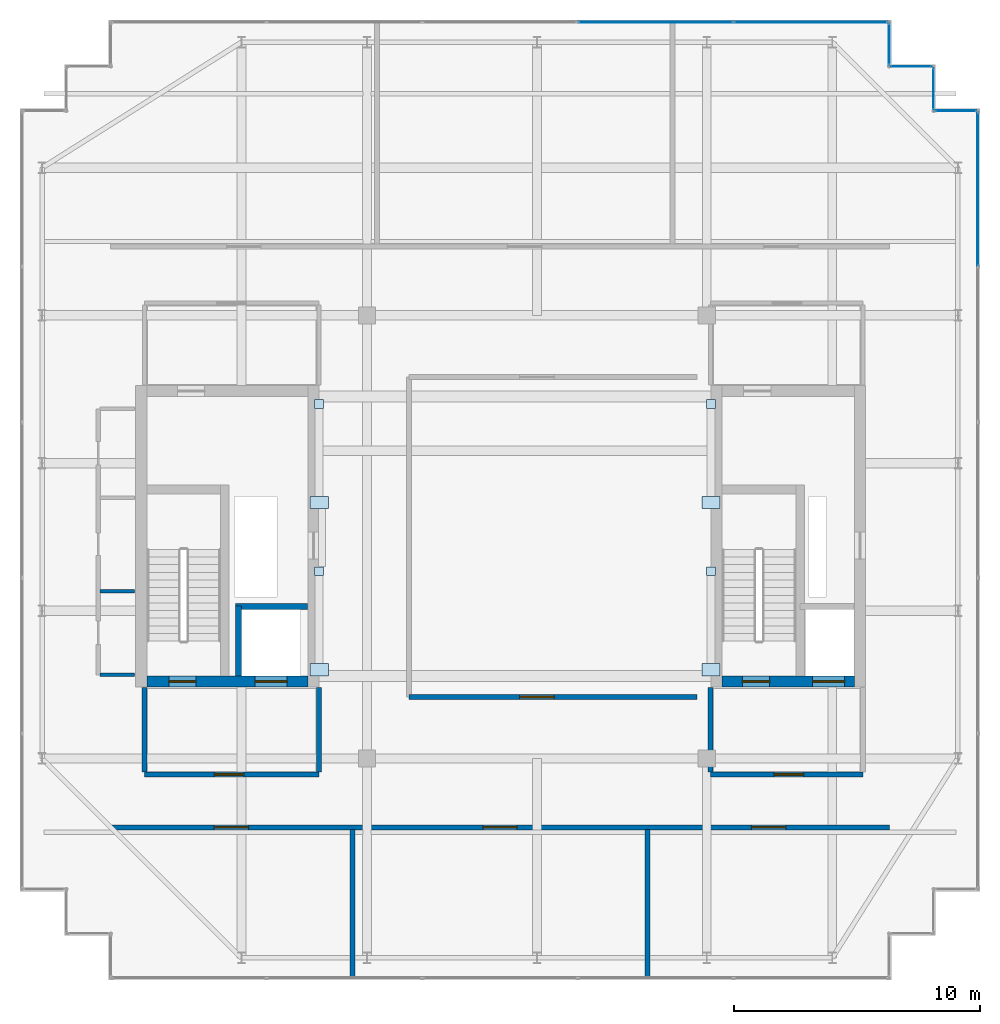
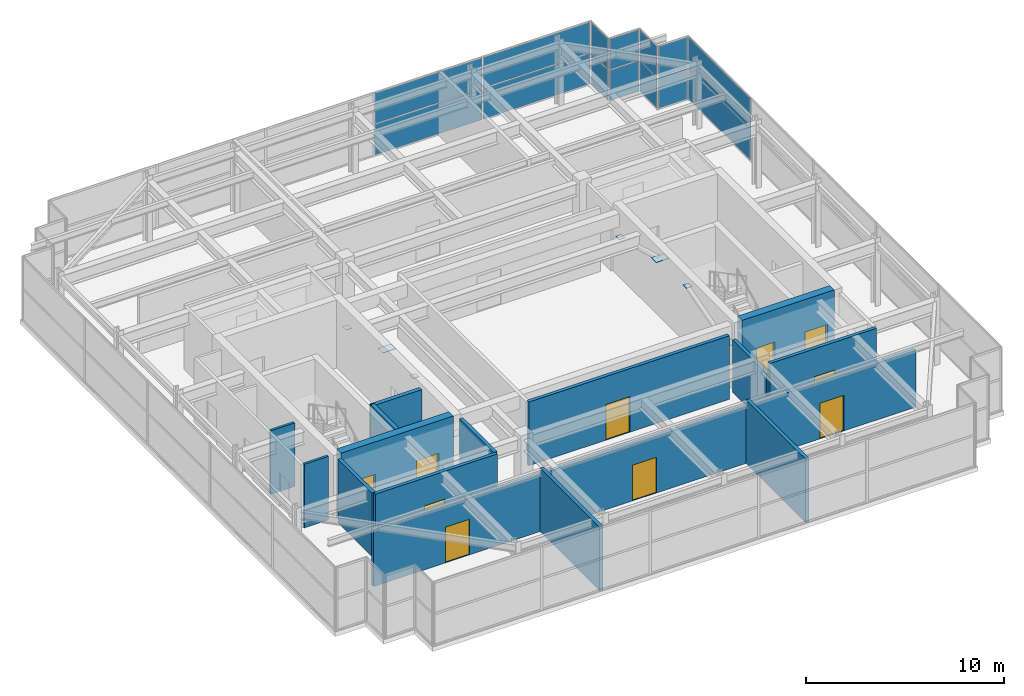
# One storey, part 30 of 32: 22 plates, 15 walls, 10 doors, 10 openings, 6 elements without a shape of their own.
"""IFC4 building model written with IfcOpenShell, lengths in metres."""

from ifc_helpers import new_model, si_unit, direction, frame, frame_2d, origin, origin_2d, place, context, subcontext, project, spatial, rectangle, extrude, source, transform, mapped, material, layer, layer_set, type_object, element, fill, aggregate, save


model = new_model("IFC4")

# Units and contexts
model_context = context("Model", 3, precision=1e-05, world=origin(), true_north=direction((0.0, 1.0)))
body_context = subcontext(model_context, "Body", "Model", "MODEL_VIEW")
ifc_project = project(units=[si_unit("LENGTHUNIT", "METRE"), si_unit("AREAUNIT", "SQUARE_METRE"), si_unit("VOLUMEUNIT", "CUBIC_METRE"), si_unit("PLANEANGLEUNIT", "RADIAN"), si_unit("MASSUNIT", "GRAM", prefix="KILO")], contexts=[model_context])

# Site, building, storey
site_placement = place(None, origin())
site = spatial("IfcSite", under=ifc_project, at=site_placement, CompositionType="ELEMENT")
building_placement = place(site_placement, origin())
building = spatial("IfcBuilding", under=site, at=building_placement, Name="Khoralis Quay Care Tower", CompositionType="ELEMENT")
storey_placement = place(building_placement, frame((0.0, 0.0, 297.89990234375)))
storey = spatial("IfcBuildingStorey", under=building, at=storey_placement, Name="L78", CompositionType="ELEMENT", Elevation=297.89990234375)

# Plates
ifc_material_1 = material(Name="Steel S355", Category="steel")
ifc_layer_1 = layer(ifc_material_1, 0.02001953125)
ifc_layer_set_1 = layer_set([ifc_layer_1], Name="Steel S355")
plate_type_1 = type_object("IfcPlateType", Name="PLT-CAP-350", PredefinedType="USERDEFINED", material=ifc_layer_set_1)
shared_shape_1 = source(origin(), body_context, "Body", "SweptSolid", [
    extrude(rectangle(XDim=0.35009765625, YDim=0.35009765625, at=origin_2d()), origin(), (0.0, 0.0, 1.0), 0.02001953125),
])
for number, where, z_axis, x_axis, name in (
    (1, (15.14794921875, 19.60009765625, 3.64013671875), (0.0, 0.0, 1.0), (1.0, 0.0, 0.0), "PLT-LNCP-L78-1"),
    (2, (15.14794921875, 26.39990234375, 2.510009765625), (0.0, 0.0, 1.0), (1.0, 0.0, 0.0), "PLT-LNCP-L78-2"),
    (3, (31.072021484375, 19.60009765625, 3.64013671875), (0.0, 0.0, 1.0), (1.0, 0.0, 0.0), "PLT-LNCP-L78-3"),
    (4, (31.072021484375, 26.39990234375, 2.510009765625), (0.0, 0.0, 1.0), (1.0, 0.0, 0.0), "PLT-LNCP-L78-4"),
):
    element("IfcPlate", number, at=place(storey_placement, frame(where, z_axis=z_axis, x_axis=x_axis)), inside=storey, type_object=plate_type_1, Name=name, ObjectType="BASE_PLATE", PredefinedType="USERDEFINED", context=body_context, shape_type="MappedRepresentation", body=[
        mapped(shared_shape_1, transform((0.0, 0.0, 0.0), scale=1.0)),
    ])
ifc_layer_2 = layer(ifc_material_1, 0.02490234375)
ifc_layer_set_2 = layer_set([ifc_layer_2], Name="Steel S355")
plate_type_2 = type_object("IfcPlateType", Name="PLT-NODE-LN1", PredefinedType="USERDEFINED", material=ifc_layer_set_2)
shared_shape_2 = source(origin(), body_context, "Body", "SweptSolid", [
    extrude(rectangle(XDim=0.75, YDim=0.5, at=origin_2d()), origin(), (0.0, 0.0, 1.0), 0.02490234375),
])
for number, where, z_axis, x_axis, name in (
    (5, (15.14794921875, 15.60009765625, 2.507568359375), (0.0, 0.0, 1.0), (1.0, 0.0, 0.0), "PLT-LN1-L78-1"),
    (6, (15.14794921875, 22.39990234375, 3.6376953125), (0.0, 0.0, 1.0), (1.0, 0.0, 0.0), "PLT-LN1-L78-2"),
    (7, (31.072021484375, 15.60009765625, 2.507568359375), (0.0, 0.0, 1.0), (1.0, 0.0, 0.0), "PLT-LN1-L78-3"),
    (8, (31.072021484375, 22.39990234375, 3.6376953125), (0.0, 0.0, 1.0), (1.0, 0.0, 0.0), "PLT-LN1-L78-4"),
):
    element("IfcPlate", number, at=place(storey_placement, frame(where, z_axis=z_axis, x_axis=x_axis)), inside=storey, type_object=plate_type_2, Name=name, ObjectType="GUSSET_PLATE", PredefinedType="USERDEFINED", context=body_context, shape_type="MappedRepresentation", body=[
        mapped(shared_shape_2, transform((0.0, 0.0, 0.0), scale=1.0)),
    ])

# Curtain wall, plates
ifc_material_2 = material(Name="Pale anodised aluminium", Category="aluminium")
ifc_layer_3 = layer(ifc_material_2, 0.199951171875)
ifc_layer_set_3 = layer_set([ifc_layer_3], Name="Pale anodised aluminium")
curtain_wall_type = type_object("IfcCurtainWallType", Name="CW-SYS-LANTERN", PredefinedType="NOTDEFINED", material=ifc_layer_set_3)
curtain_wall_1_placement = place(storey_placement, origin())
curtain_wall_1 = element("IfcCurtainWall", 9, at=curtain_wall_1_placement, inside=storey, type_object=curtain_wall_type, Name="L78 Unitised Curtain Wall CW-LN-L78-06", PredefinedType="NOTDEFINED")
ifc_material_3 = material(Name="Spandrel insulated shadow-box glass", Category="glass")
ifc_layer_4 = layer(ifc_material_3, 0.0439453125)
ifc_layer_set_4 = layer_set([ifc_layer_4], Name="Spandrel insulated shadow-box glass")
plate_type_3 = type_object("IfcPlateType", Name="PNL-SPN-44", PredefinedType="CURTAIN_PANEL", material=ifc_layer_set_4)
shared_shape_3 = source(origin(), body_context, "Body", "SweptSolid", [
    extrude(rectangle(XDim=6.23388671875, YDim=0.028076171875, at=origin_2d()), origin(), (0.0, 0.0, 1.0), 1.8701171875),
])
plate_1_placement = place(storey_placement, frame((41.909912109375, 35.133056640625, 0.06005859375), z_axis=(0.0, 0.0, 1.0), x_axis=(0.0, 1.0, 0.0)))
plate_1 = element("IfcPlate", 10, at=plate_1_placement, type_object=plate_type_3, Name="CW5 panel 5.1", PredefinedType="CURTAIN_PANEL", context=body_context, shape_type="MappedRepresentation", body=[
    mapped(shared_shape_3, transform((0.0, 0.0, 0.0), scale=1.0)),
])
plate_2_placement = place(storey_placement, frame((41.909912109375, 35.133056640625, 1.989990234375), z_axis=(0.0, 0.0, 1.0), x_axis=(0.0, 1.0, 0.0)))
plate_2 = element("IfcPlate", 11, at=plate_2_placement, type_object=plate_type_3, Name="CW5 panel 5.2", PredefinedType="CURTAIN_PANEL", context=body_context, shape_type="MappedRepresentation", body=[
    mapped(shared_shape_3, transform((0.0, 0.0, 0.0), scale=1.0)),
])
aggregate(curtain_wall_1, [plate_1, plate_2])

curtain_wall_2_placement = place(storey_placement, origin())
curtain_wall_2 = element("IfcCurtainWall", 12, at=curtain_wall_2_placement, inside=storey, type_object=curtain_wall_type, Name="L78 Unitised Curtain Wall CW-LN-L78-11", PredefinedType="NOTDEFINED")
plate_3_placement = place(storey_placement, frame((35.133056640625, 41.909912109375, 0.06005859375), z_axis=(0.0, 0.0, 1.0), x_axis=(-1.0, 0.0, 0.0)))
plate_3 = element("IfcPlate", 13, at=plate_3_placement, type_object=plate_type_3, Name="CW5 panel 1.1", PredefinedType="CURTAIN_PANEL", context=body_context, shape_type="MappedRepresentation", body=[
    mapped(shared_shape_3, transform((0.0, 0.0, 0.0), scale=1.0)),
])
plate_4_placement = place(storey_placement, frame((35.133056640625, 41.909912109375, 1.989990234375), z_axis=(0.0, 0.0, 1.0), x_axis=(-1.0, 0.0, 0.0)))
plate_4 = element("IfcPlate", 14, at=plate_4_placement, type_object=plate_type_3, Name="CW5 panel 1.2", PredefinedType="CURTAIN_PANEL", context=body_context, shape_type="MappedRepresentation", body=[
    mapped(shared_shape_3, transform((0.0, 0.0, 0.0), scale=1.0)),
])
shared_shape_4 = source(origin(), body_context, "Body", "SweptSolid", [
    extrude(rectangle(XDim=6.263916015625, YDim=0.028076171875, at=origin_2d()), origin(), (0.0, 0.0, 1.0), 1.8701171875),
])
plate_5_placement = place(storey_placement, frame((28.823974609375, 41.909912109375, 0.06005859375), z_axis=(0.0, 0.0, 1.0), x_axis=(-1.0, 0.0, 0.0)))
plate_5 = element("IfcPlate", 15, at=plate_5_placement, type_object=plate_type_3, Name="CW5 panel 2.1", PredefinedType="CURTAIN_PANEL", context=body_context, shape_type="MappedRepresentation", body=[
    mapped(shared_shape_4, transform((0.0, 0.0, 0.0), scale=1.0)),
])
plate_6_placement = place(storey_placement, frame((28.823974609375, 41.909912109375, 1.989990234375), z_axis=(0.0, 0.0, 1.0), x_axis=(-1.0, 0.0, 0.0)))
plate_6 = element("IfcPlate", 16, at=plate_6_placement, type_object=plate_type_3, Name="CW5 panel 2.2", PredefinedType="CURTAIN_PANEL", context=body_context, shape_type="MappedRepresentation", body=[
    mapped(shared_shape_4, transform((0.0, 0.0, 0.0), scale=1.0)),
])
aggregate(curtain_wall_2, [plate_3, plate_4, plate_5, plate_6])

curtain_wall_3_placement = place(storey_placement, origin())
curtain_wall_3 = element("IfcCurtainWall", 17, at=curtain_wall_3_placement, inside=storey, type_object=curtain_wall_type, Name="L78 Unitised Curtain Wall CW-LN-L78-07", PredefinedType="NOTDEFINED")
shared_shape_5 = source(origin(), body_context, "Body", "SweptSolid", [
    extrude(rectangle(XDim=1.679931640625, YDim=0.028076171875, at=origin_2d()), origin(), (0.0, 0.0, 1.0), 1.8701171875),
])
plate_7_placement = place(storey_placement, frame((41.010009765625, 38.31005859375, 0.06005859375), z_axis=(0.0, 0.0, 1.0), x_axis=(-1.0, 0.0, 0.0)))
plate_7 = element("IfcPlate", 18, at=plate_7_placement, type_object=plate_type_3, Name="CW5 panel 1.1", PredefinedType="CURTAIN_PANEL", context=body_context, shape_type="MappedRepresentation", body=[
    mapped(shared_shape_5, transform((0.0, 0.0, 0.0), scale=1.0)),
])
plate_8_placement = place(storey_placement, frame((41.010009765625, 38.31005859375, 1.989990234375), z_axis=(0.0, 0.0, 1.0), x_axis=(-1.0, 0.0, 0.0)))
plate_8 = element("IfcPlate", 19, at=plate_8_placement, type_object=plate_type_3, Name="CW5 panel 1.2", PredefinedType="CURTAIN_PANEL", context=body_context, shape_type="MappedRepresentation", body=[
    mapped(shared_shape_5, transform((0.0, 0.0, 0.0), scale=1.0)),
])
aggregate(curtain_wall_3, [plate_7, plate_8])

curtain_wall_4_placement = place(storey_placement, origin())
curtain_wall_4 = element("IfcCurtainWall", 20, at=curtain_wall_4_placement, inside=storey, type_object=curtain_wall_type, Name="L78 Unitised Curtain Wall CW-LN-L78-08", PredefinedType="NOTDEFINED")
plate_9_placement = place(storey_placement, frame((40.110107421875, 39.2099609375, 0.06005859375), z_axis=(0.0, 0.0, 1.0), x_axis=(0.0, 1.0, 0.0)))
plate_9 = element("IfcPlate", 21, at=plate_9_placement, type_object=plate_type_3, Name="CW5 panel 1.1", PredefinedType="CURTAIN_PANEL", context=body_context, shape_type="MappedRepresentation", body=[
    mapped(shared_shape_5, transform((0.0, 0.0, 0.0), scale=1.0)),
])
plate_10_placement = place(storey_placement, frame((40.110107421875, 39.2099609375, 1.989990234375), z_axis=(0.0, 0.0, 1.0), x_axis=(0.0, 1.0, 0.0)))
plate_10 = element("IfcPlate", 22, at=plate_10_placement, type_object=plate_type_3, Name="CW5 panel 1.2", PredefinedType="CURTAIN_PANEL", context=body_context, shape_type="MappedRepresentation", body=[
    mapped(shared_shape_5, transform((0.0, 0.0, 0.0), scale=1.0)),
])
aggregate(curtain_wall_4, [plate_9, plate_10])

curtain_wall_5_placement = place(storey_placement, origin())
curtain_wall_5 = element("IfcCurtainWall", 23, at=curtain_wall_5_placement, inside=storey, type_object=curtain_wall_type, Name="L78 Unitised Curtain Wall CW-LN-L78-09", PredefinedType="NOTDEFINED")
plate_11_placement = place(storey_placement, frame((39.2099609375, 40.110107421875, 0.06005859375), z_axis=(0.0, 0.0, 1.0), x_axis=(-1.0, 0.0, 0.0)))
plate_11 = element("IfcPlate", 24, at=plate_11_placement, type_object=plate_type_3, Name="CW5 panel 1.1", PredefinedType="CURTAIN_PANEL", context=body_context, shape_type="MappedRepresentation", body=[
    mapped(shared_shape_5, transform((0.0, 0.0, 0.0), scale=1.0)),
])
plate_12_placement = place(storey_placement, frame((39.2099609375, 40.110107421875, 1.989990234375), z_axis=(0.0, 0.0, 1.0), x_axis=(-1.0, 0.0, 0.0)))
plate_12 = element("IfcPlate", 25, at=plate_12_placement, type_object=plate_type_3, Name="CW5 panel 1.2", PredefinedType="CURTAIN_PANEL", context=body_context, shape_type="MappedRepresentation", body=[
    mapped(shared_shape_5, transform((0.0, 0.0, 0.0), scale=1.0)),
])
aggregate(curtain_wall_5, [plate_11, plate_12])

curtain_wall_6_placement = place(storey_placement, origin())
curtain_wall_6 = element("IfcCurtainWall", 26, at=curtain_wall_6_placement, inside=storey, type_object=curtain_wall_type, Name="L78 Unitised Curtain Wall CW-LN-L78-10", PredefinedType="NOTDEFINED")
plate_13_placement = place(storey_placement, frame((38.31005859375, 41.010009765625, 0.06005859375), z_axis=(0.0, 0.0, 1.0), x_axis=(0.0, 1.0, 0.0)))
plate_13 = element("IfcPlate", 27, at=plate_13_placement, type_object=plate_type_3, Name="CW5 panel 1.1", PredefinedType="CURTAIN_PANEL", context=body_context, shape_type="MappedRepresentation", body=[
    mapped(shared_shape_5, transform((0.0, 0.0, 0.0), scale=1.0)),
])
plate_14_placement = place(storey_placement, frame((38.31005859375, 41.010009765625, 1.989990234375), z_axis=(0.0, 0.0, 1.0), x_axis=(0.0, 1.0, 0.0)))
plate_14 = element("IfcPlate", 28, at=plate_14_placement, type_object=plate_type_3, Name="CW5 panel 1.2", PredefinedType="CURTAIN_PANEL", context=body_context, shape_type="MappedRepresentation", body=[
    mapped(shared_shape_5, transform((0.0, 0.0, 0.0), scale=1.0)),
])
aggregate(curtain_wall_6, [plate_13, plate_14])

# Wall, opening, door
ifc_material_4 = material(Name="Gypsum plasterboard on acoustic metal stud")
ifc_layer_5 = layer(ifc_material_4, 0.199951171875)
ifc_layer_set_5 = layer_set([ifc_layer_5], Name="Gypsum plasterboard on acoustic metal stud")
wall_type_1 = type_object("IfcWallType", Name="WL-COMP-200", PredefinedType="PARTITIONING", material=ifc_layer_set_5)
wall_1_placement = place(storey_placement, frame((8.050048828125, 11.35009765625, 0.0), z_axis=(0.0, 0.0, 1.0), x_axis=(1.0, 0.0, 0.0)))
wall_1 = element("IfcWall", 29, at=wall_1_placement, inside=storey, type_object=wall_type_1, Name="L78 West Firefighting Lobby South Wall", PredefinedType="PARTITIONING", context=body_context, shape_type="SweptSolid", body=[
    extrude(rectangle(XDim=7.099853515625, YDim=0.199951171875, at=frame_2d((3.5498046875, 0.0))), origin(), (0.0, 0.0, 1.0), 3.920166015625),
])
opening_1_placement = place(wall_1_placement, frame((2.846435546875, 0.0, 0.0)))
opening_1 = element("IfcOpeningElement", 30, at=opening_1_placement, cuts=wall_1, Name="Opening FD1", PredefinedType="OPENING", context=body_context, shape_type="SweptSolid", body=[
    extrude(rectangle(XDim=1.199951171875, YDim=2.199951171875, at=frame_2d((0.60009765625, 1.10009765625))), frame((0.0, 0.10986328125, 0.0), z_axis=(0.0, -1.0, 0.0), x_axis=(1.0, 0.0, 0.0)), (0.0, 0.0, 1.0), 0.219970703125),
])
ifc_material_5 = material(Name="Fire-rated painted steel", Category="steel")
door_type_1 = type_object("IfcDoorType", Name="DR-FFL-1200X2200", OperationType="NOTDEFINED", PredefinedType="DOOR", material=ifc_material_5)
shared_shape_6 = source(origin(), body_context, "Body", "SweptSolid", [
    extrude(rectangle(XDim=1.199951171875, YDim=2.199951171875, at=frame_2d((0.60009765625, 1.10009765625))), frame((0.0, 0.02490234375, 0.0), z_axis=(0.0, -1.0, 0.0), x_axis=(1.0, 0.0, 0.0)), (0.0, 0.0, 1.0), 0.050048828125),
])
door_1_placement = place(opening_1_placement, origin())
door_1 = element("IfcDoor", 31, at=door_1_placement, inside=storey, type_object=door_type_1, Name="L78 West Firefighting Lobby Fire Door", OperationType="SINGLE_SWING_RIGHT", OverallHeight=2.199951171875, OverallWidth=1.199951171875, PredefinedType="DOOR", context=body_context, shape_type="MappedRepresentation", body=[
    mapped(shared_shape_6, transform((0.0, 0.0, 0.0), scale=1.0)),
])
fill(opening_1, door_1)

# Walls
for number, where, z_axis, x_axis, name in (
    (32, (8.050048828125, 11.445068359375, 0.0), (0.0, 0.0, 1.0), (0.0, 1.0, 0.0), "L78 West Firefighting Lobby West Wall"),
    (33, (15.14990234375, 11.445068359375, 0.0), (0.0, 0.0, 1.0), (0.0, 1.0, 0.0), "L78 West Firefighting Lobby East Wall"),
):
    element("IfcWall", number, at=place(storey_placement, frame(where, z_axis=z_axis, x_axis=x_axis)), inside=storey, type_object=wall_type_1, Name=name, PredefinedType="PARTITIONING", context=body_context, shape_type="SweptSolid", body=[
        extrude(rectangle(XDim=3.434814453125, YDim=0.199951171875, at=frame_2d((1.71728515625, 0.0))), origin(), (0.0, 0.0, 1.0), 3.920166015625),
    ])

# Wall, opening, door
wall_2_placement = place(storey_placement, frame((31.050048828125, 11.35009765625, 0.0), z_axis=(0.0, 0.0, 1.0), x_axis=(1.0, 0.0, 0.0)))
wall_2 = element("IfcWall", 34, at=wall_2_placement, inside=storey, type_object=wall_type_1, Name="L78 East Firefighting Lobby South Wall", PredefinedType="PARTITIONING", context=body_context, shape_type="SweptSolid", body=[
    extrude(rectangle(XDim=6.199951171875, YDim=0.199951171875, at=frame_2d((3.10009765625, 0.0))), origin(), (0.0, 0.0, 1.0), 3.920166015625),
])
opening_2_placement = place(wall_2_placement, frame((2.585693359375, 0.0, 0.0)))
opening_2 = element("IfcOpeningElement", 35, at=opening_2_placement, cuts=wall_2, Name="Opening FD1", PredefinedType="OPENING", context=body_context, shape_type="SweptSolid", body=[
    extrude(rectangle(XDim=1.199951171875, YDim=2.199951171875, at=frame_2d((0.60009765625, 1.10009765625))), frame((0.0, 0.10986328125, 0.0), z_axis=(0.0, -1.0, 0.0), x_axis=(1.0, 0.0, 0.0)), (0.0, 0.0, 1.0), 0.219970703125),
])
door_2_placement = place(opening_2_placement, origin())
door_2 = element("IfcDoor", 36, at=door_2_placement, inside=storey, type_object=door_type_1, Name="L78 East Firefighting Lobby Fire Door", OperationType="SINGLE_SWING_LEFT", OverallHeight=2.199951171875, OverallWidth=1.199951171875, PredefinedType="DOOR", context=body_context, shape_type="MappedRepresentation", body=[
    mapped(shared_shape_6, transform((0.0, 0.0, 0.0), scale=1.0)),
])
fill(opening_2, door_2)

# Wall
wall_3_placement = place(storey_placement, frame((31.050048828125, 11.445068359375, 0.0), z_axis=(0.0, 0.0, 1.0), x_axis=(0.0, 1.0, 0.0)))
element("IfcWall", 37, at=wall_3_placement, inside=storey, type_object=wall_type_1, Name="L78 East Firefighting Lobby West Wall", PredefinedType="PARTITIONING", context=body_context, shape_type="SweptSolid", body=[
    extrude(rectangle(XDim=3.434814453125, YDim=0.199951171875, at=frame_2d((1.71728515625, 0.0))), origin(), (0.0, 0.0, 1.0), 3.22509765625),
])

# Wall, openings, doors
wall_4_placement = place(storey_placement, frame((6.679931640625, 9.199951171875, 0.0), z_axis=(0.0, 0.0, 1.0), x_axis=(1.0, 0.0, 0.0)))
wall_4 = element("IfcWall", 38, at=wall_4_placement, inside=storey, type_object=wall_type_1, Name="L78 Plant Corridor South Wall", PredefinedType="PARTITIONING", context=body_context, shape_type="SweptSolid", body=[
    extrude(rectangle(XDim=31.64013671875, YDim=0.199951171875, at=frame_2d((15.820068359375, 0.0))), origin(), (0.0, 0.0, 1.0), 3.51318359375),
])
opening_3_placement = place(wall_4_placement, frame((4.2099609375, 0.0, 0.0)))
opening_3 = element("IfcOpeningElement", 39, at=opening_3_placement, cuts=wall_4, Name="Opening PD1", PredefinedType="OPENING", context=body_context, shape_type="SweptSolid", body=[
    extrude(rectangle(XDim=1.39990234375, YDim=2.199951171875, at=frame_2d((0.699951171875, 1.10009765625))), frame((0.0, 0.10986328125, 0.0), z_axis=(0.0, -1.0, 0.0), x_axis=(1.0, 0.0, 0.0)), (0.0, 0.0, 1.0), 0.219970703125),
])
opening_4_placement = place(wall_4_placement, frame((15.1201171875, 0.0, 0.0)))
opening_4 = element("IfcOpeningElement", 40, at=opening_4_placement, cuts=wall_4, Name="Opening PD1", PredefinedType="OPENING", context=body_context, shape_type="SweptSolid", body=[
    extrude(rectangle(XDim=1.39990234375, YDim=2.199951171875, at=frame_2d((0.699951171875, 1.10009765625))), frame((0.0, 0.10986328125, 0.0), z_axis=(0.0, -1.0, 0.0), x_axis=(1.0, 0.0, 0.0)), (0.0, 0.0, 1.0), 0.219970703125),
])
opening_5_placement = place(wall_4_placement, frame((26.030029296875, 0.0, 0.0)))
opening_5 = element("IfcOpeningElement", 41, at=opening_5_placement, cuts=wall_4, Name="Opening PD1", PredefinedType="OPENING", context=body_context, shape_type="SweptSolid", body=[
    extrude(rectangle(XDim=1.39990234375, YDim=2.199951171875, at=frame_2d((0.699951171875, 1.10009765625))), frame((0.0, 0.10986328125, 0.0), z_axis=(0.0, -1.0, 0.0), x_axis=(1.0, 0.0, 0.0)), (0.0, 0.0, 1.0), 0.219970703125),
])
door_type_2 = type_object("IfcDoorType", Name="DR-PLANT-1400X2200", OperationType="NOTDEFINED", PredefinedType="DOOR", material=ifc_material_5)
shared_shape_7 = source(origin(), body_context, "Body", "SweptSolid", [
    extrude(rectangle(XDim=1.39990234375, YDim=2.199951171875, at=frame_2d((0.699951171875, 1.10009765625))), frame((0.0, 0.02490234375, 0.0), z_axis=(0.0, -1.0, 0.0), x_axis=(1.0, 0.0, 0.0)), (0.0, 0.0, 1.0), 0.050048828125),
])
door_3_placement = place(opening_3_placement, frame((1.39990234375, 0.0, 0.0), z_axis=(0.0, 0.0, 1.0), x_axis=(-1.0, 0.0, 0.0)))
door_3 = element("IfcDoor", 42, at=door_3_placement, inside=storey, type_object=door_type_2, Name="L78 District Chiller Plant Room Plant Door", OperationType="DOUBLE_DOOR_SINGLE_SWING", OverallHeight=2.199951171875, OverallWidth=1.39990234375, PredefinedType="DOOR", context=body_context, shape_type="MappedRepresentation", body=[
    mapped(shared_shape_7, transform((0.0, 0.0, 0.0), scale=1.0)),
])
fill(opening_3, door_3)
door_4_placement = place(opening_4_placement, frame((1.39990234375, 0.0, 0.0), z_axis=(0.0, 0.0, 1.0), x_axis=(-1.0, 0.0, 0.0)))
door_4 = element("IfcDoor", 43, at=door_4_placement, inside=storey, type_object=door_type_2, Name="L78 Heat Recovery Plant Room Plant Door", OperationType="DOUBLE_DOOR_SINGLE_SWING", OverallHeight=2.199951171875, OverallWidth=1.39990234375, PredefinedType="DOOR", context=body_context, shape_type="MappedRepresentation", body=[
    mapped(shared_shape_7, transform((0.0, 0.0, 0.0), scale=1.0)),
])
fill(opening_4, door_4)
door_5_placement = place(opening_5_placement, frame((1.39990234375, 0.0, 0.0), z_axis=(0.0, 0.0, 1.0), x_axis=(-1.0, 0.0, 0.0)))
door_5 = element("IfcDoor", 44, at=door_5_placement, inside=storey, type_object=door_type_2, Name="L78 Domestic Water Tank Room Plant Door", OperationType="DOUBLE_DOOR_SINGLE_SWING", OverallHeight=2.199951171875, OverallWidth=1.39990234375, PredefinedType="DOOR", context=body_context, shape_type="MappedRepresentation", body=[
    mapped(shared_shape_7, transform((0.0, 0.0, 0.0), scale=1.0)),
])
fill(opening_5, door_5)

# Wall, opening, door
wall_5_placement = place(storey_placement, frame((18.800048828125, 14.5, 0.0), z_axis=(0.0, 0.0, 1.0), x_axis=(1.0, 0.0, 0.0)))
wall_5 = element("IfcWall", 45, at=wall_5_placement, inside=storey, type_object=wall_type_1, Name="L78 Central Plant South Wall", PredefinedType="PARTITIONING", context=body_context, shape_type="SweptSolid", body=[
    extrude(rectangle(XDim=11.699951171875, YDim=0.199951171875, at=frame_2d((5.85009765625, 0.0))), origin(), (0.0, 0.0, 1.0), 3.920166015625),
])
opening_6_placement = place(wall_5_placement, frame((4.5, 0.0, 0.0)))
opening_6 = element("IfcOpeningElement", 46, at=opening_6_placement, cuts=wall_5, Name="Opening PD1", PredefinedType="OPENING", context=body_context, shape_type="SweptSolid", body=[
    extrude(rectangle(XDim=1.39990234375, YDim=2.199951171875, at=frame_2d((0.699951171875, 1.10009765625))), frame((0.0, 0.10986328125, 0.0), z_axis=(0.0, -1.0, 0.0), x_axis=(1.0, 0.0, 0.0)), (0.0, 0.0, 1.0), 0.219970703125),
])
door_6_placement = place(opening_6_placement, origin())
door_6 = element("IfcDoor", 47, at=door_6_placement, inside=storey, type_object=door_type_2, Name="L78 Central Plant South Door", OperationType="DOUBLE_DOOR_SINGLE_SWING", OverallHeight=2.199951171875, OverallWidth=1.39990234375, PredefinedType="DOOR", context=body_context, shape_type="MappedRepresentation", body=[
    mapped(shared_shape_7, transform((0.0, 0.0, 0.0), scale=1.0)),
])
fill(opening_6, door_6)

# Walls
for number, where, z_axis, x_axis, name in (
    (48, (16.5, 3.0849609375, 0.0), (0.0, 0.0, 1.0), (0.0, 1.0, 0.0), "L78 South Plant Divider 1"),
    (49, (28.5, 3.0849609375, 0.0), (0.0, 0.0, 1.0), (0.0, 1.0, 0.0), "L78 South Plant Divider 2"),
):
    element("IfcWall", number, at=place(storey_placement, frame(where, z_axis=z_axis, x_axis=x_axis)), inside=storey, type_object=wall_type_1, Name=name, PredefinedType="PARTITIONING", context=body_context, shape_type="SweptSolid", body=[
        extrude(rectangle(XDim=6.02001953125, YDim=0.199951171875, at=frame_2d((3.010009765625, 0.0))), origin(), (0.0, 0.0, 1.0), 3.920166015625),
    ])

# Wall, openings, doors
ifc_material_6 = material(Name="Concrete C50/60", Category="concrete")
ifc_layer_6 = layer(ifc_material_6, 0.449951171875)
ifc_layer_set_6 = layer_set([ifc_layer_6], Name="Concrete C50/60")
wall_type_2 = type_object("IfcWallType", Name="WL-CORE-450", PredefinedType="SHEAR", material=ifc_layer_set_6)
wall_6_placement = place(storey_placement, frame((8.14990234375, 15.125, 0.0), z_axis=(0.0, 0.0, 1.0), x_axis=(1.0, 0.0, 0.0)))
wall_6 = element("IfcWall", 50, at=wall_6_placement, inside=storey, type_object=wall_type_2, Name="L78 WCORE South Shear Wall", PredefinedType="SHEAR", context=body_context, shape_type="SweptSolid", body=[
    extrude(rectangle(XDim=6.550048828125, YDim=0.449951171875, at=frame_2d((3.27490234375, 0.0))), origin(), (0.0, 0.0, 1.0), 4.2001953125),
])
opening_7_placement = place(wall_6_placement, frame((0.89990234375, 0.0, 0.0)))
opening_7 = element("IfcOpeningElement", 51, at=opening_7_placement, cuts=wall_6, Name="Opening SD1", PredefinedType="OPENING", context=body_context, shape_type="SweptSolid", body=[
    extrude(rectangle(XDim=1.10009765625, YDim=2.199951171875, at=frame_2d((0.550048828125, 1.10009765625))), frame((0.0, 0.23486328125, 0.0), z_axis=(0.0, -1.0, 0.0), x_axis=(1.0, 0.0, 0.0)), (0.0, 0.0, 1.0), 0.469970703125),
])
opening_8_placement = place(wall_6_placement, frame((4.39990234375, 0.0, 0.0)))
opening_8 = element("IfcOpeningElement", 52, at=opening_8_placement, cuts=wall_6, Name="Opening LD2", PredefinedType="OPENING", context=body_context, shape_type="SweptSolid", body=[
    extrude(rectangle(XDim=1.300048828125, YDim=2.199951171875, at=frame_2d((0.64990234375, 1.10009765625))), frame((0.0, 0.23486328125, 0.0), z_axis=(0.0, -1.0, 0.0), x_axis=(1.0, 0.0, 0.0)), (0.0, 0.0, 1.0), 0.469970703125),
])
door_type_3 = type_object("IfcDoorType", Name="DR-STAIR-1100X2200", OperationType="NOTDEFINED", PredefinedType="DOOR", material=ifc_material_5)
shared_shape_8 = source(origin(), body_context, "Body", "SweptSolid", [
    extrude(rectangle(XDim=1.10009765625, YDim=2.199951171875, at=frame_2d((0.550048828125, 1.10009765625))), frame((0.0, 0.02490234375, 0.0), z_axis=(0.0, -1.0, 0.0), x_axis=(1.0, 0.0, 0.0)), (0.0, 0.0, 1.0), 0.050048828125),
])
door_7_placement = place(opening_7_placement, origin())
door_7 = element("IfcDoor", 53, at=door_7_placement, inside=storey, type_object=door_type_3, Name="L78 Stair ST-T1 Fire Door", OperationType="SINGLE_SWING_RIGHT", OverallHeight=2.199951171875, OverallWidth=1.10009765625, PredefinedType="DOOR", context=body_context, shape_type="MappedRepresentation", body=[
    mapped(shared_shape_8, transform((0.0, 0.0, 0.0), scale=1.0)),
])
fill(opening_7, door_7)
ifc_material_7 = material(Name="Brushed stainless steel", Category="steel")
door_type_4 = type_object("IfcDoorType", Name="DR-LIFT-1300X2200", OperationType="SLIDING_TO_RIGHT", PredefinedType="DOOR", material=ifc_material_7)
shared_shape_9 = source(origin(), body_context, "Body", "SweptSolid", [
    extrude(rectangle(XDim=1.300048828125, YDim=2.199951171875, at=frame_2d((0.64990234375, 1.10009765625))), frame((0.0, 0.02490234375, 0.0), z_axis=(0.0, -1.0, 0.0), x_axis=(1.0, 0.0, 0.0)), (0.0, 0.0, 1.0), 0.050048828125),
])
door_8_placement = place(opening_8_placement, origin())
door_8 = element("IfcDoor", 54, at=door_8_placement, inside=storey, type_object=door_type_4, Name="L78 Firefighting Lift FFL-1 Landing Door", OperationType="SLIDING_TO_RIGHT", OverallHeight=2.199951171875, OverallWidth=1.300048828125, PredefinedType="DOOR", context=body_context, shape_type="MappedRepresentation", body=[
    mapped(shared_shape_9, transform((0.0, 0.0, 0.0), scale=1.0)),
])
fill(opening_8, door_8)

wall_7_placement = place(storey_placement, frame((31.52001953125, 15.125, 0.0), z_axis=(0.0, 0.0, 1.0), x_axis=(1.0, 0.0, 0.0)))
wall_7 = element("IfcWall", 55, at=wall_7_placement, inside=storey, type_object=wall_type_2, Name="L78 ECORE South Shear Wall", PredefinedType="SHEAR", context=body_context, shape_type="SweptSolid", body=[
    extrude(rectangle(XDim=5.3798828125, YDim=0.449951171875, at=frame_2d((2.68994140625, 0.0))), origin(), (0.0, 0.0, 1.0), 4.2001953125),
])
opening_9_placement = place(wall_7_placement, frame((0.830078125, 0.0, 0.0)))
opening_9 = element("IfcOpeningElement", 56, at=opening_9_placement, cuts=wall_7, Name="Opening SD1", PredefinedType="OPENING", context=body_context, shape_type="SweptSolid", body=[
    extrude(rectangle(XDim=1.10009765625, YDim=2.199951171875, at=frame_2d((0.550048828125, 1.10009765625))), frame((0.0, 0.23486328125, 0.0), z_axis=(0.0, -1.0, 0.0), x_axis=(1.0, 0.0, 0.0)), (0.0, 0.0, 1.0), 0.469970703125),
])
opening_10_placement = place(wall_7_placement, frame((3.679931640625, 0.0, 0.0)))
opening_10 = element("IfcOpeningElement", 57, at=opening_10_placement, cuts=wall_7, Name="Opening LD2", PredefinedType="OPENING", context=body_context, shape_type="SweptSolid", body=[
    extrude(rectangle(XDim=1.300048828125, YDim=2.199951171875, at=frame_2d((0.64990234375, 1.10009765625))), frame((0.0, 0.23486328125, 0.0), z_axis=(0.0, -1.0, 0.0), x_axis=(1.0, 0.0, 0.0)), (0.0, 0.0, 1.0), 0.469970703125),
])
door_9_placement = place(opening_9_placement, origin())
door_9 = element("IfcDoor", 58, at=door_9_placement, inside=storey, type_object=door_type_3, Name="L78 Stair ST-T2 Fire Door", OperationType="SINGLE_SWING_LEFT", OverallHeight=2.199951171875, OverallWidth=1.10009765625, PredefinedType="DOOR", context=body_context, shape_type="MappedRepresentation", body=[
    mapped(shared_shape_8, transform((0.0, 0.0, 0.0), scale=1.0)),
])
fill(opening_9, door_9)
door_10_placement = place(opening_10_placement, origin())
door_10 = element("IfcDoor", 59, at=door_10_placement, inside=storey, type_object=door_type_4, Name="L78 Firefighting Lift FFL-2 Landing Door", OperationType="SLIDING_TO_RIGHT", OverallHeight=2.199951171875, OverallWidth=1.300048828125, PredefinedType="DOOR", context=body_context, shape_type="MappedRepresentation", body=[
    mapped(shared_shape_9, transform((0.0, 0.0, 0.0), scale=1.0)),
])
fill(opening_10, door_10)

# Walls
ifc_material_8 = material(Name="Moisture-resistant gypsum and ceramic tile")
ifc_layer_7 = layer(ifc_material_8, 0.280029296875)
ifc_layer_set_7 = layer_set([ifc_layer_7], Name="Moisture-resistant gypsum and ceramic tile")
wall_type_3 = type_object("IfcWallType", Name="WL-PLUMB-280", PredefinedType="PLUMBINGWALL", material=ifc_layer_set_7)
wall_8_placement = place(storey_placement, frame((6.257568359375, 18.800048828125, 0.0), z_axis=(0.0, 0.0, 1.0), x_axis=(1.0, 0.0, 0.0)))
element("IfcWall", 60, at=wall_8_placement, inside=storey, type_object=wall_type_3, Name="L78 West Flank Divider 1", PredefinedType="PLUMBINGWALL", context=body_context, shape_type="SweptSolid", body=[
    extrude(rectangle(XDim=1.40234375, YDim=0.139892578125, at=frame_2d((0.701171875, 0.0))), origin(), (0.0, 0.0, 1.0), 3.920166015625),
])
ifc_layer_8 = layer(ifc_material_4, 0.239990234375)
ifc_layer_set_8 = layer_set([ifc_layer_8], Name="Gypsum plasterboard on acoustic metal stud")
wall_type_4 = type_object("IfcWallType", Name="WL-SHAFT-240", PredefinedType="PARTITIONING", material=ifc_layer_set_8)
wall_9_placement = place(storey_placement, frame((11.8798828125, 15.35009765625, 0.0), z_axis=(0.0, 0.0, 1.0), x_axis=(0.0, 1.0, 0.0)))
element("IfcWall", 61, at=wall_9_placement, inside=storey, type_object=wall_type_4, Name="L78 FFL-1 Shaft Wall West", PredefinedType="PARTITIONING", context=body_context, shape_type="SweptSolid", body=[
    extrude(rectangle(XDim=2.849853515625, YDim=0.239990234375, at=frame_2d((1.4248046875, 0.0))), origin(), (0.0, 0.0, 1.0), 3.920166015625),
])
wall_10_placement = place(storey_placement, frame((11.760009765625, 18.169921875, 0.0), z_axis=(0.0, 0.0, 1.0), x_axis=(1.0, 0.0, 0.0)))
element("IfcWall", 62, at=wall_10_placement, inside=storey, type_object=wall_type_4, Name="L78 FFL-1 Shaft Wall North", PredefinedType="PARTITIONING", context=body_context, shape_type="SweptSolid", body=[
    extrude(rectangle(XDim=2.919921875, YDim=0.239990234375, at=frame_2d((1.4599609375, 0.0))), origin(), (0.0, 0.0, 1.0), 3.920166015625),
])
ifc_layer_9 = layer(ifc_material_4, 0.139892578125)
ifc_layer_set_9 = layer_set([ifc_layer_9], Name="Gypsum plasterboard on acoustic metal stud")
wall_type_5 = type_object("IfcWallType", Name="WL-UNIT-140", PredefinedType="PARTITIONING", material=ifc_layer_set_9)
wall_11_placement = place(storey_placement, frame((6.257568359375, 15.39990234375, 0.0), z_axis=(0.0, 0.0, 1.0), x_axis=(1.0, 0.0, 0.0)))
element("IfcWall", 63, at=wall_11_placement, inside=storey, type_object=wall_type_5, Name="L78 West Flank South Cap", PredefinedType="PARTITIONING", context=body_context, shape_type="SweptSolid", body=[
    extrude(rectangle(XDim=1.40234375, YDim=0.139892578125, at=frame_2d((0.701171875, 0.0))), origin(), (0.0, 0.0, 1.0), 3.920166015625),
])

save(model, "model.ifc")
